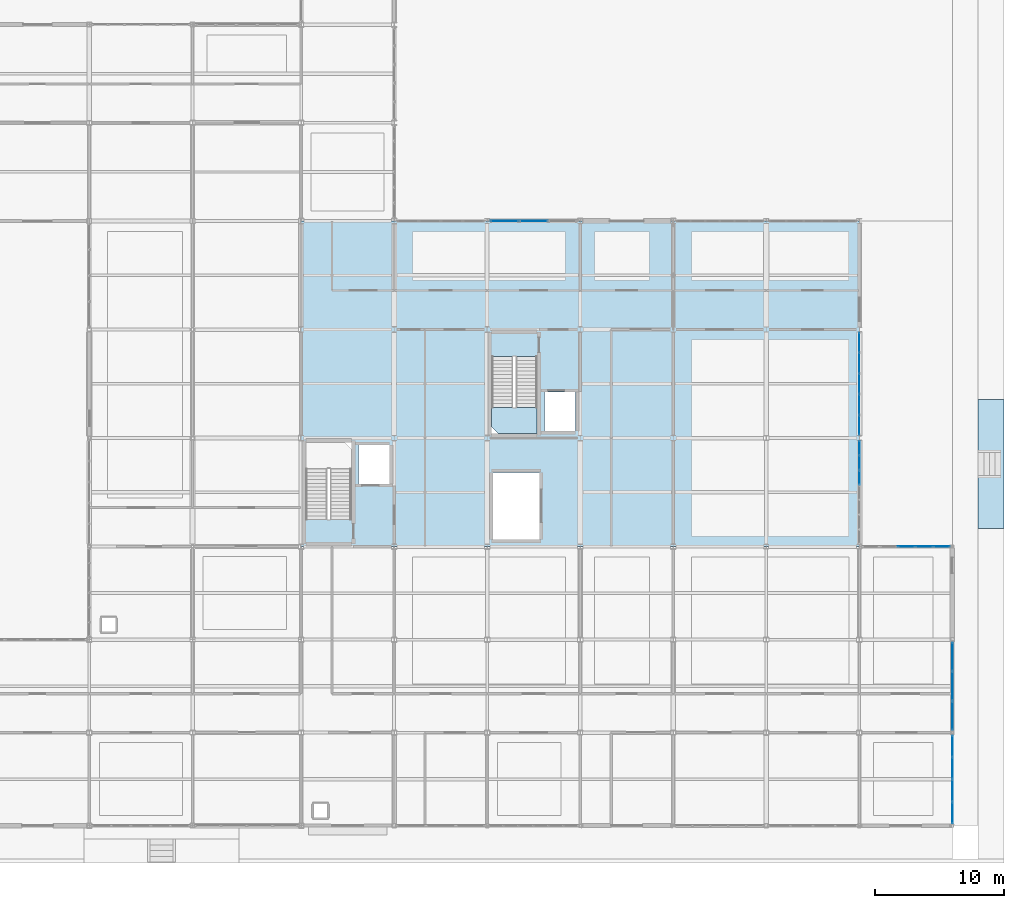
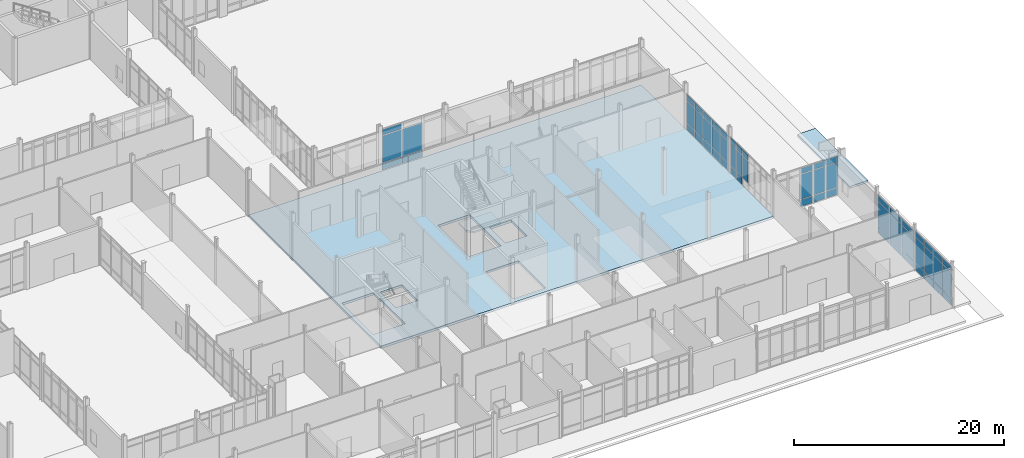
# One storey, part 155 of 229: 58 plates, 3 slabs, 7 elements without a shape of their own.
"""IFC4 building model written with IfcOpenShell, lengths in metres."""

from ifc_helpers import new_model, si_unit, direction, frame, origin, origin_2d, place, context, subcontext, project, spatial, polyline, rectangle, outline, extrude, material, layer, layer_set, type_object, element, aggregate, save


model = new_model("IFC4")

# Units and contexts
model_context = context("Model", 3, precision=1e-05, world=origin(), true_north=direction((0.0, 1.0)))
body_context = subcontext(model_context, "Body", "Model", "MODEL_VIEW")
ifc_project = project(units=[si_unit("LENGTHUNIT", "METRE"), si_unit("AREAUNIT", "SQUARE_METRE"), si_unit("VOLUMEUNIT", "CUBIC_METRE"), si_unit("PLANEANGLEUNIT", "RADIAN"), si_unit("MASSUNIT", "GRAM", prefix="KILO")], contexts=[model_context])

# Site, building, storey
site_placement = place(None, origin())
site = spatial("IfcSite", under=ifc_project, at=site_placement, CompositionType="ELEMENT")
building_placement = place(site_placement, origin())
building = spatial("IfcBuilding", under=site, at=building_placement, Name="Calvrana Isthmian Art Gallery", CompositionType="ELEMENT")
storey_placement = place(building_placement, origin())
storey = spatial("IfcBuildingStorey", under=building, at=storey_placement, Name="L00", CompositionType="ELEMENT", Elevation=0.0)

# Curtain wall, plates
ifc_material_1 = material(Name="Anodized bronze aluminium 6063-T6", Category="aluminium")
ifc_layer_1 = layer(ifc_material_1, 0.179931640625, Name="Anodized bronze aluminium 6063-T6")
ifc_layer_set_1 = layer_set([ifc_layer_1], Name="Anodized bronze aluminium 6063-T6")
curtain_wall_type_1 = type_object("IfcCurtainWallType", Name="CW-STICK-080X43", PredefinedType="NOTDEFINED", material=ifc_layer_set_1)
curtain_wall_1_placement = place(storey_placement, origin())
curtain_wall_1 = element("IfcCurtainWall", 1, at=curtain_wall_1_placement, inside=storey, type_object=curtain_wall_type_1, Name="Curtain wall CW-080", PredefinedType="NOTDEFINED")
ifc_material_2 = material(Name="Polychrome glazed terracotta", Category="masonry")
ifc_layer_2 = layer(ifc_material_2, 0.033935546875, Name="Polychrome glazed terracotta")
ifc_layer_set_2 = layer_set([ifc_layer_2], Name="Polychrome glazed terracotta")
plate_type_1 = type_object("IfcPlateType", Name="CWP-SPANDREL-34", PredefinedType="CURTAIN_PANEL", material=ifc_layer_set_2)
plate_1_placement = place(storey_placement, frame((156.0, 29.22802734375, 0.06005859375), z_axis=(0.0, 0.0, 1.0), x_axis=(0.0, -1.0, 0.0)))
plate_1 = element("IfcPlate", 2, at=plate_1_placement, type_object=plate_type_1, Name="CW-080 panel 1.1", PredefinedType="CURTAIN_PANEL", context=body_context, shape_type="SweptSolid", body=[
    extrude(rectangle(XDim=1.051025390625, YDim=0.033935546875, at=origin_2d()), origin(), (0.0, 0.0, 1.0), 0.81005859375),
])
plate_2_placement = place(storey_placement, frame((156.0, 29.22802734375, 0.93017578125), z_axis=(0.0, 0.0, 1.0), x_axis=(0.0, -1.0, 0.0)))
plate_2 = element("IfcPlate", 3, at=plate_2_placement, type_object=plate_type_1, Name="CW-080 panel 1.2", PredefinedType="CURTAIN_PANEL", context=body_context, shape_type="SweptSolid", body=[
    extrude(rectangle(XDim=1.051025390625, YDim=0.033935546875, at=origin_2d()), origin(), (0.0, 0.0, 1.0), 2.573974609375),
])
plate_3_placement = place(storey_placement, frame((156.0, 29.22802734375, 3.56396484375), z_axis=(0.0, 0.0, 1.0), x_axis=(0.0, -1.0, 0.0)))
plate_3 = element("IfcPlate", 4, at=plate_3_placement, type_object=plate_type_1, Name="CW-080 panel 1.3", PredefinedType="CURTAIN_PANEL", context=body_context, shape_type="SweptSolid", body=[
    extrude(rectangle(XDim=1.051025390625, YDim=0.033935546875, at=origin_2d()), origin(), (0.0, 0.0, 1.0), 0.659912109375),
])
plate_4_placement = place(storey_placement, frame((156.0, 28.095458984375, 0.06005859375), z_axis=(0.0, 0.0, 1.0), x_axis=(0.0, -1.0, 0.0)))
plate_4 = element("IfcPlate", 5, at=plate_4_placement, type_object=plate_type_1, Name="CW-080 panel 2.1", PredefinedType="CURTAIN_PANEL", context=body_context, shape_type="SweptSolid", body=[
    extrude(rectangle(XDim=1.083740234375, YDim=0.033935546875, at=origin_2d()), origin(), (0.0, 0.0, 1.0), 0.81005859375),
])
plate_5_placement = place(storey_placement, frame((156.0, 28.095458984375, 0.93017578125), z_axis=(0.0, 0.0, 1.0), x_axis=(0.0, -1.0, 0.0)))
plate_5 = element("IfcPlate", 6, at=plate_5_placement, type_object=plate_type_1, Name="CW-080 panel 2.2", PredefinedType="CURTAIN_PANEL", context=body_context, shape_type="SweptSolid", body=[
    extrude(rectangle(XDim=1.083740234375, YDim=0.033935546875, at=origin_2d()), origin(), (0.0, 0.0, 1.0), 2.573974609375),
])
plate_6_placement = place(storey_placement, frame((156.0, 28.095458984375, 3.56396484375), z_axis=(0.0, 0.0, 1.0), x_axis=(0.0, -1.0, 0.0)))
plate_6 = element("IfcPlate", 7, at=plate_6_placement, type_object=plate_type_1, Name="CW-080 panel 2.3", PredefinedType="CURTAIN_PANEL", context=body_context, shape_type="SweptSolid", body=[
    extrude(rectangle(XDim=1.083740234375, YDim=0.033935546875, at=origin_2d()), origin(), (0.0, 0.0, 1.0), 0.659912109375),
])
plate_7_placement = place(storey_placement, frame((156.0, 26.94677734375, 0.93017578125), z_axis=(0.0, 0.0, 1.0), x_axis=(0.0, -1.0, 0.0)))
plate_7 = element("IfcPlate", 8, at=plate_7_placement, type_object=plate_type_1, Name="CW-080 panel 3.2", PredefinedType="CURTAIN_PANEL", context=body_context, shape_type="SweptSolid", body=[
    extrude(rectangle(XDim=1.083740234375, YDim=0.033935546875, at=origin_2d()), origin(), (0.0, 0.0, 1.0), 2.573974609375),
])
plate_8_placement = place(storey_placement, frame((156.0, 26.94677734375, 3.56396484375), z_axis=(0.0, 0.0, 1.0), x_axis=(0.0, -1.0, 0.0)))
plate_8 = element("IfcPlate", 9, at=plate_8_placement, type_object=plate_type_1, Name="CW-080 panel 3.3", PredefinedType="CURTAIN_PANEL", context=body_context, shape_type="SweptSolid", body=[
    extrude(rectangle(XDim=1.083740234375, YDim=0.033935546875, at=origin_2d()), origin(), (0.0, 0.0, 1.0), 0.659912109375),
])
aggregate(curtain_wall_1, [plate_1, plate_2, plate_3, plate_4, plate_5, plate_6, plate_7, plate_8])

ifc_layer_3 = layer(ifc_material_1, 0.179931640625, Name="Anodized bronze aluminium 6063-T6")
ifc_layer_set_3 = layer_set([ifc_layer_3], Name="Anodized bronze aluminium 6063-T6")
curtain_wall_type_2 = type_object("IfcCurtainWallType", Name="CW-STICK-069X46", PredefinedType="NOTDEFINED", material=ifc_layer_set_3)
curtain_wall_2_placement = place(storey_placement, origin())
curtain_wall_2 = element("IfcCurtainWall", 10, at=curtain_wall_2_placement, inside=storey, type_object=curtain_wall_type_2, Name="Curtain wall CW-017", PredefinedType="NOTDEFINED")
ifc_material_3 = material(Name="Low-E laminated solar glass", Category="glass")
ifc_layer_4 = layer(ifc_material_3, 0.028076171875, Name="Low-E laminated solar glass")
ifc_layer_set_4 = layer_set([ifc_layer_4], Name="Low-E laminated solar glass")
plate_type_2 = type_object("IfcPlateType", Name="CWP-VISION-28", PredefinedType="CURTAIN_PANEL", material=ifc_layer_set_4)
plate_9_placement = place(storey_placement, frame((159.64111328125, 21.60009765625, 0.06494140625), z_axis=(0.0, 0.0, 1.0), x_axis=(1.0, 0.0, 0.0)))
plate_9 = element("IfcPlate", 11, at=plate_9_placement, type_object=plate_type_2, Name="CW-017 panel 3.1", PredefinedType="CURTAIN_PANEL", context=body_context, shape_type="SweptSolid", body=[
    extrude(rectangle(XDim=1.302978515625, YDim=0.028076171875, at=origin_2d()), origin(), (0.0, 0.0, 1.0), 0.802490234375),
])
plate_10_placement = place(storey_placement, frame((159.64111328125, 21.60009765625, 0.9326171875), z_axis=(0.0, 0.0, 1.0), x_axis=(1.0, 0.0, 0.0)))
plate_10 = element("IfcPlate", 12, at=plate_10_placement, type_object=plate_type_2, Name="CW-017 panel 3.2", PredefinedType="CURTAIN_PANEL", context=body_context, shape_type="SweptSolid", body=[
    extrude(rectangle(XDim=1.302978515625, YDim=0.028076171875, at=origin_2d()), origin(), (0.0, 0.0, 1.0), 2.8759765625),
])
plate_11_placement = place(storey_placement, frame((159.64111328125, 21.60009765625, 3.87353515625), z_axis=(0.0, 0.0, 1.0), x_axis=(1.0, 0.0, 0.0)))
plate_11 = element("IfcPlate", 13, at=plate_11_placement, type_object=plate_type_2, Name="CW-017 panel 3.3", PredefinedType="CURTAIN_PANEL", context=body_context, shape_type="SweptSolid", body=[
    extrude(rectangle(XDim=1.302978515625, YDim=0.028076171875, at=origin_2d()), origin(), (0.0, 0.0, 1.0), 0.652587890625),
])
plate_12_placement = place(storey_placement, frame((161.024169921875, 21.60009765625, 0.06494140625), z_axis=(0.0, 0.0, 1.0), x_axis=(1.0, 0.0, 0.0)))
plate_12 = element("IfcPlate", 14, at=plate_12_placement, type_object=plate_type_2, Name="CW-017 panel 4.1", PredefinedType="CURTAIN_PANEL", context=body_context, shape_type="SweptSolid", body=[
    extrude(rectangle(XDim=1.302978515625, YDim=0.028076171875, at=origin_2d()), origin(), (0.0, 0.0, 1.0), 0.802490234375),
])
plate_13_placement = place(storey_placement, frame((161.024169921875, 21.60009765625, 0.9326171875), z_axis=(0.0, 0.0, 1.0), x_axis=(1.0, 0.0, 0.0)))
plate_13 = element("IfcPlate", 15, at=plate_13_placement, type_object=plate_type_2, Name="CW-017 panel 4.2", PredefinedType="CURTAIN_PANEL", context=body_context, shape_type="SweptSolid", body=[
    extrude(rectangle(XDim=1.302978515625, YDim=0.028076171875, at=origin_2d()), origin(), (0.0, 0.0, 1.0), 2.8759765625),
])
plate_14_placement = place(storey_placement, frame((161.024169921875, 21.60009765625, 3.87353515625), z_axis=(0.0, 0.0, 1.0), x_axis=(1.0, 0.0, 0.0)))
plate_14 = element("IfcPlate", 16, at=plate_14_placement, type_object=plate_type_2, Name="CW-017 panel 4.3", PredefinedType="CURTAIN_PANEL", context=body_context, shape_type="SweptSolid", body=[
    extrude(rectangle(XDim=1.302978515625, YDim=0.028076171875, at=origin_2d()), origin(), (0.0, 0.0, 1.0), 0.652587890625),
])
plate_15_placement = place(storey_placement, frame((162.386962890625, 21.60009765625, 0.06494140625), z_axis=(0.0, 0.0, 1.0), x_axis=(1.0, 0.0, 0.0)))
plate_15 = element("IfcPlate", 17, at=plate_15_placement, type_object=plate_type_2, Name="CW-017 panel 5.1", PredefinedType="CURTAIN_PANEL", context=body_context, shape_type="SweptSolid", body=[
    extrude(rectangle(XDim=1.262939453125, YDim=0.028076171875, at=origin_2d()), origin(), (0.0, 0.0, 1.0), 0.802490234375),
])
plate_16_placement = place(storey_placement, frame((162.386962890625, 21.60009765625, 0.9326171875), z_axis=(0.0, 0.0, 1.0), x_axis=(1.0, 0.0, 0.0)))
plate_16 = element("IfcPlate", 18, at=plate_16_placement, type_object=plate_type_2, Name="CW-017 panel 5.2", PredefinedType="CURTAIN_PANEL", context=body_context, shape_type="SweptSolid", body=[
    extrude(rectangle(XDim=1.262939453125, YDim=0.028076171875, at=origin_2d()), origin(), (0.0, 0.0, 1.0), 2.8759765625),
])
plate_17_placement = place(storey_placement, frame((162.386962890625, 21.60009765625, 3.87353515625), z_axis=(0.0, 0.0, 1.0), x_axis=(1.0, 0.0, 0.0)))
plate_17 = element("IfcPlate", 19, at=plate_17_placement, type_object=plate_type_2, Name="CW-017 panel 5.3", PredefinedType="CURTAIN_PANEL", context=body_context, shape_type="SweptSolid", body=[
    extrude(rectangle(XDim=1.262939453125, YDim=0.028076171875, at=origin_2d()), origin(), (0.0, 0.0, 1.0), 0.652587890625),
])
aggregate(curtain_wall_2, [plate_9, plate_10, plate_11, plate_12, plate_13, plate_14, plate_15, plate_16, plate_17])

ifc_layer_5 = layer(ifc_material_1, 0.179931640625, Name="Anodized bronze aluminium 6063-T6")
ifc_layer_set_5 = layer_set([ifc_layer_5], Name="Anodized bronze aluminium 6063-T6")
curtain_wall_type_3 = type_object("IfcCurtainWallType", Name="CW-UNIT-068X48", PredefinedType="USERDEFINED", material=ifc_layer_set_5)
curtain_wall_3_placement = place(storey_placement, origin())
curtain_wall_3 = element("IfcCurtainWall", 20, at=curtain_wall_3_placement, inside=storey, type_object=curtain_wall_type_3, Name="Curtain wall CW-023", ObjectType="UNITISED CURTAIN WALL", PredefinedType="USERDEFINED")
plate_18_placement = place(storey_placement, frame((128.552490234375, 46.800048828125, 0.070068359375), z_axis=(0.0, 0.0, 1.0), x_axis=(1.0, 0.0, 0.0)))
plate_18 = element("IfcPlate", 21, at=plate_18_placement, type_object=plate_type_2, Name="CW-023 panel 1.1", PredefinedType="CURTAIN_PANEL", context=body_context, shape_type="SweptSolid", body=[
    extrude(rectangle(XDim=2.146240234375, YDim=0.028076171875, at=origin_2d()), origin(), (0.0, 0.0, 1.0), 0.794921875),
])
plate_19_placement = place(storey_placement, frame((128.552490234375, 46.800048828125, 0.93505859375), z_axis=(0.0, 0.0, 1.0), x_axis=(1.0, 0.0, 0.0)))
plate_19 = element("IfcPlate", 22, at=plate_19_placement, type_object=plate_type_2, Name="CW-023 panel 1.2", PredefinedType="CURTAIN_PANEL", context=body_context, shape_type="SweptSolid", body=[
    extrude(rectangle(XDim=2.146240234375, YDim=0.028076171875, at=origin_2d()), origin(), (0.0, 0.0, 1.0), 3.115234375),
])
plate_20_placement = place(storey_placement, frame((128.552490234375, 46.800048828125, 4.1201171875), z_axis=(0.0, 0.0, 1.0), x_axis=(1.0, 0.0, 0.0)))
plate_20 = element("IfcPlate", 23, at=plate_20_placement, type_object=plate_type_2, Name="CW-023 panel 1.3", PredefinedType="CURTAIN_PANEL", context=body_context, shape_type="SweptSolid", body=[
    extrude(rectangle(XDim=2.146240234375, YDim=0.028076171875, at=origin_2d()), origin(), (0.0, 0.0, 1.0), 0.64501953125),
])
plate_21_placement = place(storey_placement, frame((130.798828125, 46.800048828125, 0.070068359375), z_axis=(0.0, 0.0, 1.0), x_axis=(1.0, 0.0, 0.0)))
plate_21 = element("IfcPlate", 24, at=plate_21_placement, type_object=plate_type_2, Name="CW-023 panel 2.1", PredefinedType="CURTAIN_PANEL", context=body_context, shape_type="SweptSolid", body=[
    extrude(rectangle(XDim=2.186279296875, YDim=0.028076171875, at=origin_2d()), origin(), (0.0, 0.0, 1.0), 0.794921875),
])
plate_22_placement = place(storey_placement, frame((130.798828125, 46.800048828125, 0.93505859375), z_axis=(0.0, 0.0, 1.0), x_axis=(1.0, 0.0, 0.0)))
plate_22 = element("IfcPlate", 25, at=plate_22_placement, type_object=plate_type_2, Name="CW-023 panel 2.2", PredefinedType="CURTAIN_PANEL", context=body_context, shape_type="SweptSolid", body=[
    extrude(rectangle(XDim=2.186279296875, YDim=0.028076171875, at=origin_2d()), origin(), (0.0, 0.0, 1.0), 3.115234375),
])
aggregate(curtain_wall_3, [plate_18, plate_19, plate_20, plate_21, plate_22])

ifc_layer_6 = layer(ifc_material_1, 0.179931640625, Name="Anodized bronze aluminium 6063-T6")
ifc_layer_set_6 = layer_set([ifc_layer_6], Name="Anodized bronze aluminium 6063-T6")
curtain_wall_type_4 = type_object("IfcCurtainWallType", Name="CW-UNIT-080X42", PredefinedType="USERDEFINED", material=ifc_layer_set_6)
curtain_wall_4_placement = place(storey_placement, origin())
curtain_wall_4 = element("IfcCurtainWall", 26, at=curtain_wall_4_placement, inside=storey, type_object=curtain_wall_type_4, Name="Curtain wall CW-081", ObjectType="UNITISED CURTAIN WALL", PredefinedType="USERDEFINED")
plate_23_placement = place(storey_placement, frame((156.0, 37.39501953125, 0.06005859375), z_axis=(0.0, 0.0, 1.0), x_axis=(0.0, -1.0, 0.0)))
plate_23 = element("IfcPlate", 27, at=plate_23_placement, type_object=plate_type_2, Name="CW-081 panel 1.1", PredefinedType="CURTAIN_PANEL", context=body_context, shape_type="SweptSolid", body=[
    extrude(rectangle(XDim=1.501953125, YDim=0.028076171875, at=origin_2d()), origin(), (0.0, 0.0, 1.0), 0.81005859375),
])
plate_24_placement = place(storey_placement, frame((156.0, 37.39501953125, 0.929931640625), z_axis=(0.0, 0.0, 1.0), x_axis=(0.0, -1.0, 0.0)))
plate_24 = element("IfcPlate", 28, at=plate_24_placement, type_object=plate_type_2, Name="CW-081 panel 1.2", PredefinedType="CURTAIN_PANEL", context=body_context, shape_type="SweptSolid", body=[
    extrude(rectangle(XDim=1.501953125, YDim=0.028076171875, at=origin_2d()), origin(), (0.0, 0.0, 1.0), 2.5029296875),
])
plate_25_placement = place(storey_placement, frame((156.0, 37.39501953125, 3.4931640625), z_axis=(0.0, 0.0, 1.0), x_axis=(0.0, -1.0, 0.0)))
plate_25 = element("IfcPlate", 29, at=plate_25_placement, type_object=plate_type_2, Name="CW-081 panel 1.3", PredefinedType="CURTAIN_PANEL", context=body_context, shape_type="SweptSolid", body=[
    extrude(rectangle(XDim=1.501953125, YDim=0.028076171875, at=origin_2d()), origin(), (0.0, 0.0, 1.0), 0.659912109375),
])
plate_26_placement = place(storey_placement, frame((156.0, 35.8056640625, 0.06005859375), z_axis=(0.0, 0.0, 1.0), x_axis=(0.0, -1.0, 0.0)))
plate_26 = element("IfcPlate", 30, at=plate_26_placement, type_object=plate_type_2, Name="CW-081 panel 2.1", PredefinedType="CURTAIN_PANEL", context=body_context, shape_type="SweptSolid", body=[
    extrude(rectangle(XDim=1.536865234375, YDim=0.028076171875, at=origin_2d()), origin(), (0.0, 0.0, 1.0), 0.81005859375),
])
plate_27_placement = place(storey_placement, frame((156.0, 35.8056640625, 0.929931640625), z_axis=(0.0, 0.0, 1.0), x_axis=(0.0, -1.0, 0.0)))
plate_27 = element("IfcPlate", 31, at=plate_27_placement, type_object=plate_type_2, Name="CW-081 panel 2.2", PredefinedType="CURTAIN_PANEL", context=body_context, shape_type="SweptSolid", body=[
    extrude(rectangle(XDim=1.536865234375, YDim=0.028076171875, at=origin_2d()), origin(), (0.0, 0.0, 1.0), 2.5029296875),
])
plate_28_placement = place(storey_placement, frame((156.0, 35.8056640625, 3.4931640625), z_axis=(0.0, 0.0, 1.0), x_axis=(0.0, -1.0, 0.0)))
plate_28 = element("IfcPlate", 32, at=plate_28_placement, type_object=plate_type_2, Name="CW-081 panel 2.3", PredefinedType="CURTAIN_PANEL", context=body_context, shape_type="SweptSolid", body=[
    extrude(rectangle(XDim=1.536865234375, YDim=0.028076171875, at=origin_2d()), origin(), (0.0, 0.0, 1.0), 0.659912109375),
])
plate_29_placement = place(storey_placement, frame((156.0, 34.19873046875, 0.06005859375), z_axis=(0.0, 0.0, 1.0), x_axis=(0.0, -1.0, 0.0)))
plate_29 = element("IfcPlate", 33, at=plate_29_placement, type_object=plate_type_2, Name="CW-081 panel 3.1", PredefinedType="CURTAIN_PANEL", context=body_context, shape_type="SweptSolid", body=[
    extrude(rectangle(XDim=1.536865234375, YDim=0.028076171875, at=origin_2d()), origin(), (0.0, 0.0, 1.0), 0.81005859375),
])
plate_30_placement = place(storey_placement, frame((156.0, 34.19873046875, 0.929931640625), z_axis=(0.0, 0.0, 1.0), x_axis=(0.0, -1.0, 0.0)))
plate_30 = element("IfcPlate", 34, at=plate_30_placement, type_object=plate_type_2, Name="CW-081 panel 3.2", PredefinedType="CURTAIN_PANEL", context=body_context, shape_type="SweptSolid", body=[
    extrude(rectangle(XDim=1.536865234375, YDim=0.028076171875, at=origin_2d()), origin(), (0.0, 0.0, 1.0), 2.5029296875),
])
plate_31_placement = place(storey_placement, frame((156.0, 34.19873046875, 3.4931640625), z_axis=(0.0, 0.0, 1.0), x_axis=(0.0, -1.0, 0.0)))
plate_31 = element("IfcPlate", 35, at=plate_31_placement, type_object=plate_type_2, Name="CW-081 panel 3.3", PredefinedType="CURTAIN_PANEL", context=body_context, shape_type="SweptSolid", body=[
    extrude(rectangle(XDim=1.536865234375, YDim=0.028076171875, at=origin_2d()), origin(), (0.0, 0.0, 1.0), 0.659912109375),
])
plate_32_placement = place(storey_placement, frame((156.0, 32.591796875, 0.06005859375), z_axis=(0.0, 0.0, 1.0), x_axis=(0.0, -1.0, 0.0)))
plate_32 = element("IfcPlate", 36, at=plate_32_placement, type_object=plate_type_2, Name="CW-081 panel 4.1", PredefinedType="CURTAIN_PANEL", context=body_context, shape_type="SweptSolid", body=[
    extrude(rectangle(XDim=1.536865234375, YDim=0.028076171875, at=origin_2d()), origin(), (0.0, 0.0, 1.0), 0.81005859375),
])
plate_33_placement = place(storey_placement, frame((156.0, 32.591796875, 0.929931640625), z_axis=(0.0, 0.0, 1.0), x_axis=(0.0, -1.0, 0.0)))
plate_33 = element("IfcPlate", 37, at=plate_33_placement, type_object=plate_type_2, Name="CW-081 panel 4.2", PredefinedType="CURTAIN_PANEL", context=body_context, shape_type="SweptSolid", body=[
    extrude(rectangle(XDim=1.536865234375, YDim=0.028076171875, at=origin_2d()), origin(), (0.0, 0.0, 1.0), 2.5029296875),
])
plate_34_placement = place(storey_placement, frame((156.0, 32.591796875, 3.4931640625), z_axis=(0.0, 0.0, 1.0), x_axis=(0.0, -1.0, 0.0)))
plate_34 = element("IfcPlate", 38, at=plate_34_placement, type_object=plate_type_2, Name="CW-081 panel 4.3", PredefinedType="CURTAIN_PANEL", context=body_context, shape_type="SweptSolid", body=[
    extrude(rectangle(XDim=1.536865234375, YDim=0.028076171875, at=origin_2d()), origin(), (0.0, 0.0, 1.0), 0.659912109375),
])
plate_35_placement = place(storey_placement, frame((156.0, 31.00244140625, 0.06005859375), z_axis=(0.0, 0.0, 1.0), x_axis=(0.0, -1.0, 0.0)))
plate_35 = element("IfcPlate", 39, at=plate_35_placement, type_object=plate_type_2, Name="CW-081 panel 5.1", PredefinedType="CURTAIN_PANEL", context=body_context, shape_type="SweptSolid", body=[
    extrude(rectangle(XDim=1.501953125, YDim=0.028076171875, at=origin_2d()), origin(), (0.0, 0.0, 1.0), 0.81005859375),
])
plate_36_placement = place(storey_placement, frame((156.0, 31.00244140625, 0.929931640625), z_axis=(0.0, 0.0, 1.0), x_axis=(0.0, -1.0, 0.0)))
plate_36 = element("IfcPlate", 40, at=plate_36_placement, type_object=plate_type_2, Name="CW-081 panel 5.2", PredefinedType="CURTAIN_PANEL", context=body_context, shape_type="SweptSolid", body=[
    extrude(rectangle(XDim=1.501953125, YDim=0.028076171875, at=origin_2d()), origin(), (0.0, 0.0, 1.0), 2.5029296875),
])
plate_37_placement = place(storey_placement, frame((156.0, 31.00244140625, 3.4931640625), z_axis=(0.0, 0.0, 1.0), x_axis=(0.0, -1.0, 0.0)))
plate_37 = element("IfcPlate", 41, at=plate_37_placement, type_object=plate_type_2, Name="CW-081 panel 5.3", PredefinedType="CURTAIN_PANEL", context=body_context, shape_type="SweptSolid", body=[
    extrude(rectangle(XDim=1.501953125, YDim=0.028076171875, at=origin_2d()), origin(), (0.0, 0.0, 1.0), 0.659912109375),
])
aggregate(curtain_wall_4, [plate_23, plate_24, plate_25, plate_26, plate_27, plate_28, plate_29, plate_30, plate_31, plate_32, plate_33, plate_34, plate_35, plate_36, plate_37])

ifc_layer_7 = layer(ifc_material_1, 0.179931640625, Name="Anodized bronze aluminium 6063-T6")
ifc_layer_set_7 = layer_set([ifc_layer_7], Name="Anodized bronze aluminium 6063-T6")
curtain_wall_type_5 = type_object("IfcCurtainWallType", Name="CW-UNIT-069X47", PredefinedType="USERDEFINED", material=ifc_layer_set_7)
curtain_wall_5_placement = place(storey_placement, origin())
curtain_wall_5 = element("IfcCurtainWall", 42, at=curtain_wall_5_placement, inside=storey, type_object=curtain_wall_type_5, Name="Curtain wall CW-082", ObjectType="UNITISED CURTAIN WALL", PredefinedType="USERDEFINED")
plate_38_placement = place(storey_placement, frame((163.199951171875, 6.163818359375, 0.06494140625), z_axis=(0.0, 0.0, 1.0), x_axis=(0.0, -1.0, 0.0)))
plate_38 = element("IfcPlate", 43, at=plate_38_placement, type_object=plate_type_2, Name="CW-082 panel 1.1", PredefinedType="CURTAIN_PANEL", context=body_context, shape_type="SweptSolid", body=[
    extrude(rectangle(XDim=1.61767578125, YDim=0.028076171875, at=origin_2d()), origin(), (0.0, 0.0, 1.0), 0.802490234375),
])
plate_39_placement = place(storey_placement, frame((163.199951171875, 6.163818359375, 0.9326171875), z_axis=(0.0, 0.0, 1.0), x_axis=(0.0, -1.0, 0.0)))
plate_39 = element("IfcPlate", 44, at=plate_39_placement, type_object=plate_type_2, Name="CW-082 panel 1.2", PredefinedType="CURTAIN_PANEL", context=body_context, shape_type="SweptSolid", body=[
    extrude(rectangle(XDim=1.61767578125, YDim=0.028076171875, at=origin_2d()), origin(), (0.0, 0.0, 1.0), 2.962890625),
])
plate_40_placement = place(storey_placement, frame((163.199951171875, 6.163818359375, 3.96044921875), z_axis=(0.0, 0.0, 1.0), x_axis=(0.0, -1.0, 0.0)))
plate_40 = element("IfcPlate", 45, at=plate_40_placement, type_object=plate_type_2, Name="CW-082 panel 1.3", PredefinedType="CURTAIN_PANEL", context=body_context, shape_type="SweptSolid", body=[
    extrude(rectangle(XDim=1.61767578125, YDim=0.028076171875, at=origin_2d()), origin(), (0.0, 0.0, 1.0), 0.652587890625),
])
plate_41_placement = place(storey_placement, frame((163.199951171875, 4.452392578125, 0.06494140625), z_axis=(0.0, 0.0, 1.0), x_axis=(0.0, -1.0, 0.0)))
plate_41 = element("IfcPlate", 46, at=plate_41_placement, type_object=plate_type_2, Name="CW-082 panel 2.1", PredefinedType="CURTAIN_PANEL", context=body_context, shape_type="SweptSolid", body=[
    extrude(rectangle(XDim=1.655029296875, YDim=0.028076171875, at=origin_2d()), origin(), (0.0, 0.0, 1.0), 0.802490234375),
])
plate_42_placement = place(storey_placement, frame((163.199951171875, 4.452392578125, 0.9326171875), z_axis=(0.0, 0.0, 1.0), x_axis=(0.0, -1.0, 0.0)))
plate_42 = element("IfcPlate", 47, at=plate_42_placement, type_object=plate_type_2, Name="CW-082 panel 2.2", PredefinedType="CURTAIN_PANEL", context=body_context, shape_type="SweptSolid", body=[
    extrude(rectangle(XDim=1.655029296875, YDim=0.028076171875, at=origin_2d()), origin(), (0.0, 0.0, 1.0), 2.962890625),
])
plate_43_placement = place(storey_placement, frame((163.199951171875, 4.452392578125, 3.96044921875), z_axis=(0.0, 0.0, 1.0), x_axis=(0.0, -1.0, 0.0)))
plate_43 = element("IfcPlate", 48, at=plate_43_placement, type_object=plate_type_2, Name="CW-082 panel 2.3", PredefinedType="CURTAIN_PANEL", context=body_context, shape_type="SweptSolid", body=[
    extrude(rectangle(XDim=1.655029296875, YDim=0.028076171875, at=origin_2d()), origin(), (0.0, 0.0, 1.0), 0.652587890625),
])
plate_44_placement = place(storey_placement, frame((163.199951171875, 2.72216796875, 0.06494140625), z_axis=(0.0, 0.0, 1.0), x_axis=(0.0, -1.0, 0.0)))
plate_44 = element("IfcPlate", 49, at=plate_44_placement, type_object=plate_type_2, Name="CW-082 panel 3.1", PredefinedType="CURTAIN_PANEL", context=body_context, shape_type="SweptSolid", body=[
    extrude(rectangle(XDim=1.655029296875, YDim=0.028076171875, at=origin_2d()), origin(), (0.0, 0.0, 1.0), 0.802490234375),
])
plate_45_placement = place(storey_placement, frame((163.199951171875, 2.72216796875, 0.9326171875), z_axis=(0.0, 0.0, 1.0), x_axis=(0.0, -1.0, 0.0)))
plate_45 = element("IfcPlate", 50, at=plate_45_placement, type_object=plate_type_2, Name="CW-082 panel 3.2", PredefinedType="CURTAIN_PANEL", context=body_context, shape_type="SweptSolid", body=[
    extrude(rectangle(XDim=1.655029296875, YDim=0.028076171875, at=origin_2d()), origin(), (0.0, 0.0, 1.0), 2.962890625),
])
plate_46_placement = place(storey_placement, frame((163.199951171875, 2.72216796875, 3.96044921875), z_axis=(0.0, 0.0, 1.0), x_axis=(0.0, -1.0, 0.0)))
plate_46 = element("IfcPlate", 51, at=plate_46_placement, type_object=plate_type_2, Name="CW-082 panel 3.3", PredefinedType="CURTAIN_PANEL", context=body_context, shape_type="SweptSolid", body=[
    extrude(rectangle(XDim=1.655029296875, YDim=0.028076171875, at=origin_2d()), origin(), (0.0, 0.0, 1.0), 0.652587890625),
])
plate_47_placement = place(storey_placement, frame((163.199951171875, 1.0107421875, 0.06494140625), z_axis=(0.0, 0.0, 1.0), x_axis=(0.0, -1.0, 0.0)))
plate_47 = element("IfcPlate", 52, at=plate_47_placement, type_object=plate_type_2, Name="CW-082 panel 4.1", PredefinedType="CURTAIN_PANEL", context=body_context, shape_type="SweptSolid", body=[
    extrude(rectangle(XDim=1.61767578125, YDim=0.028076171875, at=origin_2d()), origin(), (0.0, 0.0, 1.0), 0.802490234375),
])
plate_48_placement = place(storey_placement, frame((163.199951171875, 1.0107421875, 0.9326171875), z_axis=(0.0, 0.0, 1.0), x_axis=(0.0, -1.0, 0.0)))
plate_48 = element("IfcPlate", 53, at=plate_48_placement, type_object=plate_type_2, Name="CW-082 panel 4.2", PredefinedType="CURTAIN_PANEL", context=body_context, shape_type="SweptSolid", body=[
    extrude(rectangle(XDim=1.61767578125, YDim=0.028076171875, at=origin_2d()), origin(), (0.0, 0.0, 1.0), 2.962890625),
])
plate_49_placement = place(storey_placement, frame((163.199951171875, 1.0107421875, 3.96044921875), z_axis=(0.0, 0.0, 1.0), x_axis=(0.0, -1.0, 0.0)))
plate_49 = element("IfcPlate", 54, at=plate_49_placement, type_object=plate_type_2, Name="CW-082 panel 4.3", PredefinedType="CURTAIN_PANEL", context=body_context, shape_type="SweptSolid", body=[
    extrude(rectangle(XDim=1.61767578125, YDim=0.028076171875, at=origin_2d()), origin(), (0.0, 0.0, 1.0), 0.652587890625),
])
aggregate(curtain_wall_5, [plate_38, plate_39, plate_40, plate_41, plate_42, plate_43, plate_44, plate_45, plate_46, plate_47, plate_48, plate_49])

ifc_layer_8 = layer(ifc_material_1, 0.179931640625, Name="Anodized bronze aluminium 6063-T6")
ifc_layer_set_8 = layer_set([ifc_layer_8], Name="Anodized bronze aluminium 6063-T6")
curtain_wall_type_6 = type_object("IfcCurtainWallType", Name="CW-UNIT-069X45", PredefinedType="USERDEFINED", material=ifc_layer_set_8)
curtain_wall_6_placement = place(storey_placement, origin())
curtain_wall_6 = element("IfcCurtainWall", 55, at=curtain_wall_6_placement, inside=storey, type_object=curtain_wall_type_6, Name="Curtain wall CW-083", ObjectType="UNITISED CURTAIN WALL", PredefinedType="USERDEFINED")
plate_50_placement = place(storey_placement, frame((163.199951171875, 13.078369140625, 0.070068359375), z_axis=(0.0, 0.0, 1.0), x_axis=(0.0, -1.0, 0.0)))
plate_50 = element("IfcPlate", 56, at=plate_50_placement, type_object=plate_type_2, Name="CW-083 panel 1.1", PredefinedType="CURTAIN_PANEL", context=body_context, shape_type="SweptSolid", body=[
    extrude(rectangle(XDim=2.178466796875, YDim=0.028076171875, at=origin_2d()), origin(), (0.0, 0.0, 1.0), 0.794921875),
])
plate_51_placement = place(storey_placement, frame((163.199951171875, 13.078369140625, 0.93505859375), z_axis=(0.0, 0.0, 1.0), x_axis=(0.0, -1.0, 0.0)))
plate_51 = element("IfcPlate", 57, at=plate_51_placement, type_object=plate_type_2, Name="CW-083 panel 1.2", PredefinedType="CURTAIN_PANEL", context=body_context, shape_type="SweptSolid", body=[
    extrude(rectangle(XDim=2.178466796875, YDim=0.028076171875, at=origin_2d()), origin(), (0.0, 0.0, 1.0), 2.80810546875),
])
plate_52_placement = place(storey_placement, frame((163.199951171875, 13.078369140625, 3.81298828125), z_axis=(0.0, 0.0, 1.0), x_axis=(0.0, -1.0, 0.0)))
plate_52 = element("IfcPlate", 58, at=plate_52_placement, type_object=plate_type_2, Name="CW-083 panel 1.3", PredefinedType="CURTAIN_PANEL", context=body_context, shape_type="SweptSolid", body=[
    extrude(rectangle(XDim=2.178466796875, YDim=0.028076171875, at=origin_2d()), origin(), (0.0, 0.0, 1.0), 0.64501953125),
])
plate_53_placement = place(storey_placement, frame((163.199951171875, 10.800048828125, 0.070068359375), z_axis=(0.0, 0.0, 1.0), x_axis=(0.0, -1.0, 0.0)))
plate_53 = element("IfcPlate", 59, at=plate_53_placement, type_object=plate_type_2, Name="CW-083 panel 2.1", PredefinedType="CURTAIN_PANEL", context=body_context, shape_type="SweptSolid", body=[
    extrude(rectangle(XDim=2.218505859375, YDim=0.028076171875, at=origin_2d()), origin(), (0.0, 0.0, 1.0), 0.794921875),
])
plate_54_placement = place(storey_placement, frame((163.199951171875, 10.800048828125, 0.93505859375), z_axis=(0.0, 0.0, 1.0), x_axis=(0.0, -1.0, 0.0)))
plate_54 = element("IfcPlate", 60, at=plate_54_placement, type_object=plate_type_2, Name="CW-083 panel 2.2", PredefinedType="CURTAIN_PANEL", context=body_context, shape_type="SweptSolid", body=[
    extrude(rectangle(XDim=2.218505859375, YDim=0.028076171875, at=origin_2d()), origin(), (0.0, 0.0, 1.0), 2.80810546875),
])
plate_55_placement = place(storey_placement, frame((163.199951171875, 10.800048828125, 3.81298828125), z_axis=(0.0, 0.0, 1.0), x_axis=(0.0, -1.0, 0.0)))
plate_55 = element("IfcPlate", 61, at=plate_55_placement, type_object=plate_type_2, Name="CW-083 panel 2.3", PredefinedType="CURTAIN_PANEL", context=body_context, shape_type="SweptSolid", body=[
    extrude(rectangle(XDim=2.218505859375, YDim=0.028076171875, at=origin_2d()), origin(), (0.0, 0.0, 1.0), 0.64501953125),
])
plate_56_placement = place(storey_placement, frame((163.199951171875, 8.521484375, 0.070068359375), z_axis=(0.0, 0.0, 1.0), x_axis=(0.0, -1.0, 0.0)))
plate_56 = element("IfcPlate", 62, at=plate_56_placement, type_object=plate_type_2, Name="CW-083 panel 3.1", PredefinedType="CURTAIN_PANEL", context=body_context, shape_type="SweptSolid", body=[
    extrude(rectangle(XDim=2.178466796875, YDim=0.028076171875, at=origin_2d()), origin(), (0.0, 0.0, 1.0), 0.794921875),
])
plate_57_placement = place(storey_placement, frame((163.199951171875, 8.521484375, 0.93505859375), z_axis=(0.0, 0.0, 1.0), x_axis=(0.0, -1.0, 0.0)))
plate_57 = element("IfcPlate", 63, at=plate_57_placement, type_object=plate_type_2, Name="CW-083 panel 3.2", PredefinedType="CURTAIN_PANEL", context=body_context, shape_type="SweptSolid", body=[
    extrude(rectangle(XDim=2.178466796875, YDim=0.028076171875, at=origin_2d()), origin(), (0.0, 0.0, 1.0), 2.80810546875),
])
plate_58_placement = place(storey_placement, frame((163.199951171875, 8.521484375, 3.81298828125), z_axis=(0.0, 0.0, 1.0), x_axis=(0.0, -1.0, 0.0)))
plate_58 = element("IfcPlate", 64, at=plate_58_placement, type_object=plate_type_2, Name="CW-083 panel 3.3", PredefinedType="CURTAIN_PANEL", context=body_context, shape_type="SweptSolid", body=[
    extrude(rectangle(XDim=2.178466796875, YDim=0.028076171875, at=origin_2d()), origin(), (0.0, 0.0, 1.0), 0.64501953125),
])
aggregate(curtain_wall_6, [plate_50, plate_51, plate_52, plate_53, plate_54, plate_55, plate_56, plate_57, plate_58])

# Slab
ifc_material_4 = material(Name="Concrete C40/50", Category="concrete")
ifc_layer_9 = layer(ifc_material_4, 0.280029296875, Name="Concrete C40/50")
ifc_layer_set_9 = layer_set([ifc_layer_9], Name="Concrete C40/50")
slab_type_1 = type_object("IfcSlabType", Name="SLB-GAL-280", PredefinedType="FLOOR", material=ifc_layer_set_9)
slab_1_placement = place(storey_placement, frame((0.0, 0.0, -0.280029296875)))
element("IfcSlab", 65, at=slab_1_placement, inside=storey, type_object=slab_type_1, Name="Floor slab V4N_L00", PredefinedType="FLOOR", context=body_context, shape_type="SweptSolid", body=[
    extrude(outline(polyline([(112.800048828125, 21.60009765625), (156.0, 21.60009765625), (156.0, 46.800048828125), (112.800048828125, 46.800048828125), (112.800048828125, 21.60009765625)]), holes=[polyline([(116.68994140625, 23.699951171875), (116.68994140625, 29.659912109375), (113.169921875, 29.659912109375), (113.169921875, 23.699951171875), (116.68994140625, 23.699951171875)]), polyline([(117.25, 26.449951171875), (119.64990234375, 26.449951171875), (119.64990234375, 29.449951171875), (117.25, 29.449951171875), (117.25, 26.449951171875)]), polyline([(127.550048828125, 36.300048828125), (127.550048828125, 30.340087890625), (131.070068359375, 30.340087890625), (131.070068359375, 36.300048828125), (127.550048828125, 36.300048828125)]), polyline([(131.64990234375, 30.550048828125), (134.050048828125, 30.550048828125), (134.050048828125, 33.550048828125), (131.64990234375, 33.550048828125), (131.64990234375, 30.550048828125)]), polyline([(127.64990234375, 22.14990234375), (131.25, 22.14990234375), (131.25, 27.35009765625), (127.64990234375, 27.35009765625), (127.64990234375, 22.14990234375)])]), origin(), (0.0, 0.0, 1.0), 0.280029296875),
])

# Stair, slab
stair_type = type_object("IfcStairType", Name="STR-HT-540", PredefinedType="HALF_TURN_STAIR", material=ifc_material_4)
stair_placement = place(storey_placement, origin())
stair = element("IfcStair", 66, at=stair_placement, inside=storey, type_object=stair_type, Name="Protected exit stair ST-4 (L00)", PredefinedType="HALF_TURN_STAIR")
ifc_layer_10 = layer(ifc_material_4, 0.199951171875, Name="Concrete C40/50")
ifc_layer_set_10 = layer_set([ifc_layer_10], Name="Concrete C40/50")
slab_type_2 = type_object("IfcSlabType", Name="SLB-LAND-200", PredefinedType="LANDING", material=ifc_layer_set_10)
slab_2_placement = place(storey_placement, frame((0.0, 0.0, 2.5)))
slab_2 = element("IfcSlab", 67, at=slab_2_placement, type_object=slab_type_2, Name="ST-4 landing 1", PredefinedType="LANDING", context=body_context, shape_type="SweptSolid", body=[
    extrude(outline(polyline([(127.550048828125, 32.3798828125), (127.550048828125, 30.860107421875), (128.070068359375, 30.340087890625), (131.070068359375, 30.340087890625), (131.070068359375, 32.3798828125), (127.550048828125, 32.3798828125)])), origin(), (0.0, 0.0, 1.0), 0.199951171875),
])
aggregate(stair, [slab_2])

# Slab
ifc_layer_11 = layer(ifc_material_4, 0.199951171875, Name="Concrete C40/50")
ifc_layer_set_11 = layer_set([ifc_layer_11], Name="Concrete C40/50")
slab_type_3 = type_object("IfcSlabType", Name="SLB-TER-200", PredefinedType="FLOOR", material=ifc_layer_set_11)
slab_3_placement = place(storey_placement, frame((0.0, 0.0, -0.85009765625)))
element("IfcSlab", 68, at=slab_3_placement, inside=storey, type_object=slab_type_3, Name="Courtyard and entry plaza deck SLB_APR_EAST_BENCH_S", PredefinedType="FLOOR", context=body_context, shape_type="SweptSolid", body=[
    extrude(outline(polyline([(167.199951171875, 23.0), (167.199951171875, 33.0), (165.199951171875, 33.0), (165.199951171875, 23.0), (167.199951171875, 23.0)])), origin(), (0.0, 0.0, 1.0), 0.25),
])

save(model, "model.ifc")
